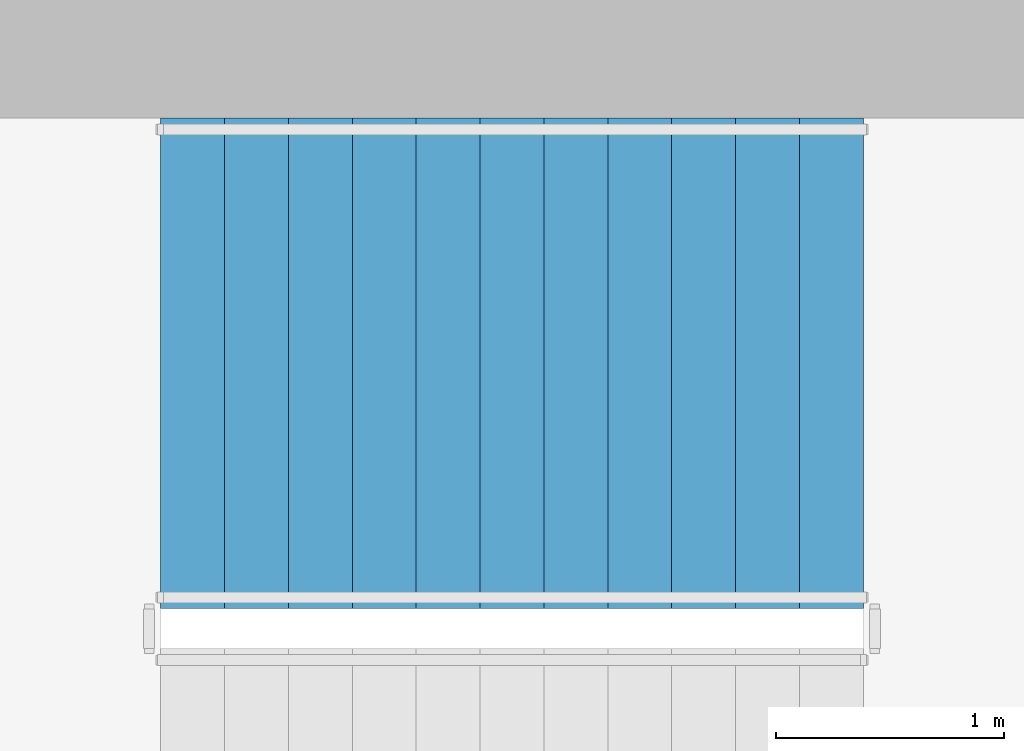
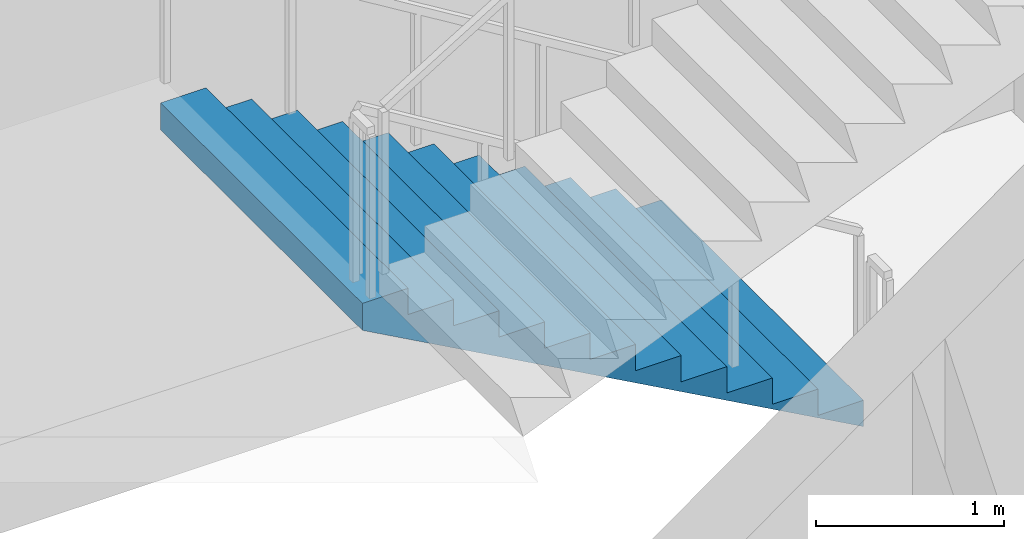
# One storey, part 9 of 14: 1 stair flight, 1 element without a shape of its own.
"""IFC4 building model written with IfcOpenShell, lengths in metres."""

from ifc_helpers import new_model, si_unit, direction, frame, origin, place, context, subcontext, project, spatial, triangles, material, type_object, element, aggregate, save


model = new_model("IFC4")

# Units and contexts
model_context = context("Model", 3, precision=1e-05, world=origin(), true_north=direction((0.0, 1.0)))
body_context = subcontext(model_context, "Body", "Model", "MODEL_VIEW")
ifc_project = project(units=[si_unit("LENGTHUNIT", "METRE"), si_unit("AREAUNIT", "SQUARE_METRE"), si_unit("VOLUMEUNIT", "CUBIC_METRE"), si_unit("PLANEANGLEUNIT", "RADIAN"), si_unit("MASSUNIT", "GRAM", prefix="KILO")], contexts=[model_context])

# Site, building, storey
site_placement = place(None, origin())
site = spatial("IfcSite", under=ifc_project, at=site_placement, CompositionType="ELEMENT")
building_placement = place(site_placement, origin())
building = spatial("IfcBuilding", under=site, at=building_placement, Name="Cypress Arch Tower", CompositionType="ELEMENT")
storey_placement = place(building_placement, frame((0.0, 0.0, 276.199951171875)))
storey = spatial("IfcBuildingStorey", under=building, at=storey_placement, Name="L62", CompositionType="ELEMENT", Elevation=276.199951171875)

# Stair, stair flight
ifc_material_1 = material(Name="Concrete C40/50", Category="concrete")
stair_type = type_object("IfcStairType", Name="Exit stair ES1708-215", PredefinedType="HALF_TURN_STAIR", material=ifc_material_1)
stair_placement = place(storey_placement, origin())
stair = element("IfcStair", 1, at=stair_placement, inside=storey, type_object=stair_type, Name="L62 Exit stair B", PredefinedType="HALF_TURN_STAIR")
ifc_material_2 = material(Name="Concrete C40/50", Category="concrete")
stair_flight_type = type_object("IfcStairFlightType", Name="Exit stair flight ES1708-215", PredefinedType="STRAIGHT", material=ifc_material_2)
stair_flight_placement = place(storey_placement, frame((-22.27490234375, 13.72509765625, 0.0), z_axis=(0.0, 0.0, 1.0), x_axis=(-1.0, 0.0, 0.0)))
stair_flight = element("IfcStairFlight", 2, at=stair_flight_placement, type_object=stair_flight_type, Name="B flight 1", NumberOfRisers=12, NumberOfTreads=11, PredefinedType="STRAIGHT", RiserHeight=0.170833333, TreadLength=0.28, context=body_context, shape_type="Tessellation", body=[
    triangles([(0.0, -1.074951171875, 0.0), (0.000244140625, -1.074951171875, 0.01904296875), (0.000244140625, -1.074951171875, 0.0380859375), (0.00048828125, -1.074951171875, 0.056884765625), (0.00048828125, -1.074951171875, 0.075927734375), (0.00048828125, -1.074951171875, 0.094970703125), (0.00048828125, -1.074951171875, 0.114013671875), (0.000244140625, -1.074951171875, 0.1328125), (0.000244140625, -1.074951171875, 0.15185546875), (0.0, -1.074951171875, 0.1708984375), (0.280029296875, -1.074951171875, 0.1708984375), (0.280029296875, -1.074951171875, 0.341552734375), (0.56005859375, -1.074951171875, 0.341552734375), (0.56005859375, -1.074951171875, 0.512451171875), (0.840087890625, -1.074951171875, 0.512451171875), (0.840087890625, -1.074951171875, 0.683349609375), (1.1201171875, -1.074951171875, 0.683349609375), (1.1201171875, -1.074951171875, 0.854248046875), (1.39990234375, -1.074951171875, 0.854248046875), (1.39990234375, -1.074951171875, 1.02490234375), (1.679931640625, -1.074951171875, 1.02490234375), (1.679931640625, -1.074951171875, 1.19580078125), (1.9599609375, -1.074951171875, 1.19580078125), (1.9599609375, -1.074951171875, 1.36669921875), (2.239990234375, -1.074951171875, 1.36669921875), (2.239990234375, -1.074951171875, 1.53759765625), (2.52001953125, -1.074951171875, 1.53759765625), (2.52001953125, -1.074951171875, 1.708251953125), (2.800048828125, -1.074951171875, 1.708251953125), (2.800048828125, -1.074951171875, 1.879150390625), (3.080078125, -1.074951171875, 1.879150390625), (3.079833984375, -1.074951171875, 1.859619140625), (3.079833984375, -1.074951171875, 1.840087890625), (3.07958984375, -1.074951171875, 1.820556640625), (3.07958984375, -1.074951171875, 1.801025390625), (3.07958984375, -1.074951171875, 1.78173828125), (3.07958984375, -1.074951171875, 1.76220703125), (3.079833984375, -1.074951171875, 1.74267578125), (3.079833984375, -1.074951171875, 1.72314453125), (3.080078125, -1.074951171875, 1.70361328125), (3.080078125, 1.074951171875, 1.70361328125), (3.079833984375, 1.074951171875, 1.72314453125), (3.079833984375, 1.074951171875, 1.74267578125), (3.07958984375, 1.074951171875, 1.76220703125), (3.07958984375, 1.074951171875, 1.78173828125), (3.07958984375, 1.074951171875, 1.801025390625), (3.07958984375, 1.074951171875, 1.820556640625), (3.079833984375, 1.074951171875, 1.840087890625), (3.079833984375, 1.074951171875, 1.859619140625), (3.080078125, 1.074951171875, 1.879150390625), (2.800048828125, 1.074951171875, 1.879150390625), (2.800048828125, 1.074951171875, 1.708251953125), (2.52001953125, 1.074951171875, 1.708251953125), (2.52001953125, 1.074951171875, 1.53759765625), (2.239990234375, 1.074951171875, 1.53759765625), (2.239990234375, 1.074951171875, 1.36669921875), (1.9599609375, 1.074951171875, 1.36669921875), (1.9599609375, 1.074951171875, 1.19580078125), (1.679931640625, 1.074951171875, 1.19580078125), (1.679931640625, 1.074951171875, 1.02490234375), (1.39990234375, 1.074951171875, 1.02490234375), (1.39990234375, 1.074951171875, 0.854248046875), (1.1201171875, 1.074951171875, 0.854248046875), (1.1201171875, 1.074951171875, 0.683349609375), (0.840087890625, 1.074951171875, 0.683349609375), (0.840087890625, 1.074951171875, 0.512451171875), (0.56005859375, 1.074951171875, 0.512451171875), (0.56005859375, 1.074951171875, 0.341552734375), (0.280029296875, 1.074951171875, 0.341552734375), (0.280029296875, 1.074951171875, 0.1708984375), (0.0, 1.074951171875, 0.1708984375), (0.000244140625, 1.074951171875, 0.15185546875), (0.000244140625, 1.074951171875, 0.1328125), (0.00048828125, 1.074951171875, 0.114013671875), (0.00048828125, 1.074951171875, 0.094970703125), (0.00048828125, 1.074951171875, 0.075927734375), (0.00048828125, 1.074951171875, 0.056884765625), (0.000244140625, 1.074951171875, 0.0380859375), (0.000244140625, 1.074951171875, 0.01904296875), (0.0, 1.074951171875, 0.0)], [[40, 39, 30], [39, 38, 30], [38, 37, 30], [37, 36, 30], [36, 35, 30], [35, 34, 30], [34, 33, 30], [33, 32, 30], [32, 31, 30], [19, 18, 17], [27, 26, 25], [25, 24, 23], [23, 22, 21], [17, 16, 15], [15, 14, 13], [10, 9, 11], [9, 8, 11], [8, 7, 11], [7, 6, 11], [6, 5, 11], [5, 4, 11], [4, 3, 11], [3, 2, 11], [2, 1, 11], [29, 28, 27], [21, 20, 19], [13, 12, 11], [40, 30, 29], [40, 29, 27], [40, 27, 25], [40, 25, 23], [40, 23, 21], [40, 21, 19], [40, 19, 17], [40, 17, 15], [40, 15, 13], [1, 40, 13], [13, 11, 1], [41, 51, 42], [42, 51, 43], [43, 51, 44], [44, 51, 45], [45, 51, 46], [46, 51, 47], [47, 51, 48], [48, 51, 49], [49, 51, 50], [62, 64, 63], [54, 56, 55], [56, 58, 57], [58, 60, 59], [64, 66, 65], [66, 68, 67], [71, 70, 72], [72, 70, 73], [73, 70, 74], [74, 70, 75], [75, 70, 76], [76, 70, 77], [77, 70, 78], [78, 70, 79], [79, 70, 80], [52, 54, 53], [60, 62, 61], [68, 70, 69], [41, 52, 51], [41, 54, 52], [41, 56, 54], [41, 58, 56], [41, 60, 58], [41, 62, 60], [41, 64, 62], [41, 66, 64], [41, 68, 66], [80, 68, 41], [68, 80, 70], [41, 42, 39], [41, 39, 40], [42, 43, 38], [42, 38, 39], [43, 44, 37], [43, 37, 38], [44, 45, 36], [44, 36, 37], [45, 46, 35], [45, 35, 36], [46, 47, 34], [46, 34, 35], [47, 48, 33], [47, 33, 34], [48, 49, 32], [48, 32, 33], [49, 50, 31], [49, 31, 32], [50, 51, 30], [50, 30, 31], [51, 52, 29], [51, 29, 30], [52, 53, 28], [52, 28, 29], [53, 54, 27], [53, 27, 28], [54, 55, 26], [54, 26, 27], [55, 56, 25], [55, 25, 26], [56, 57, 24], [56, 24, 25], [57, 58, 23], [57, 23, 24], [58, 59, 22], [58, 22, 23], [59, 60, 21], [59, 21, 22], [60, 61, 20], [60, 20, 21], [61, 62, 19], [61, 19, 20], [62, 63, 18], [62, 18, 19], [63, 64, 17], [63, 17, 18], [64, 65, 16], [64, 16, 17], [65, 66, 15], [65, 15, 16], [66, 67, 14], [66, 14, 15], [67, 68, 13], [67, 13, 14], [68, 69, 12], [68, 12, 13], [69, 70, 11], [69, 11, 12], [70, 71, 10], [70, 10, 11], [71, 72, 9], [71, 9, 10], [72, 73, 8], [72, 8, 9], [73, 74, 7], [73, 7, 8], [74, 75, 6], [74, 6, 7], [75, 76, 5], [75, 5, 6], [76, 77, 4], [76, 4, 5], [77, 78, 3], [77, 3, 4], [78, 79, 2], [78, 2, 3], [79, 80, 1], [79, 1, 2], [80, 41, 40], [80, 40, 1]], closed=True),
])
aggregate(stair, [stair_flight])

save(model, "model.ifc")
